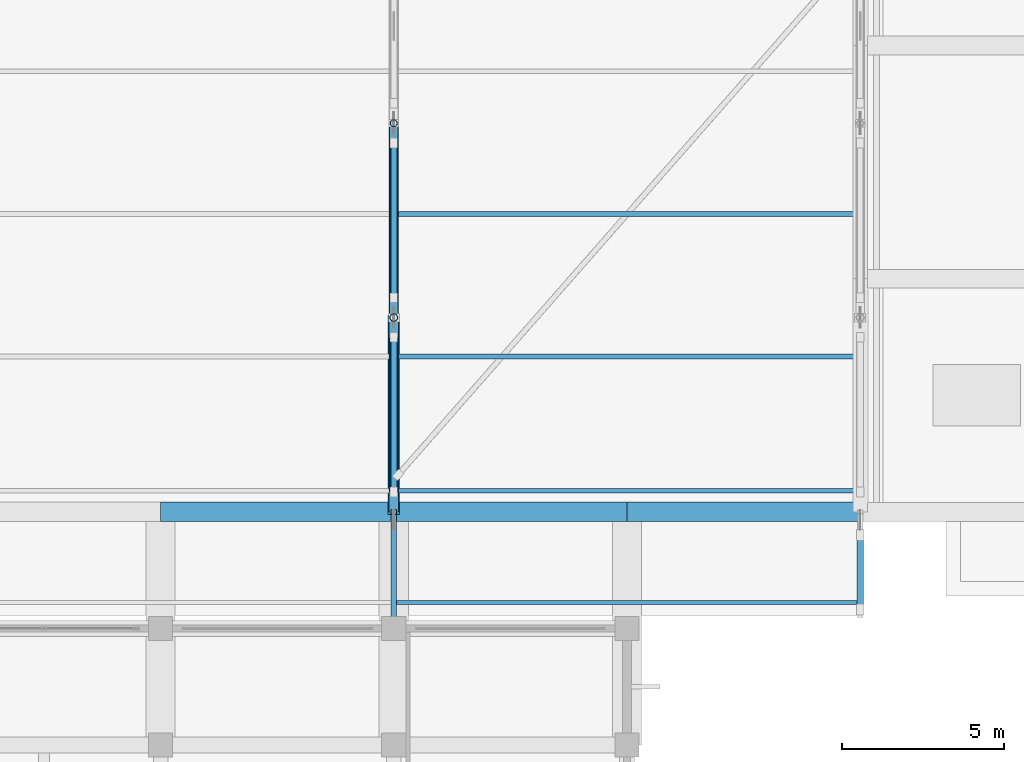
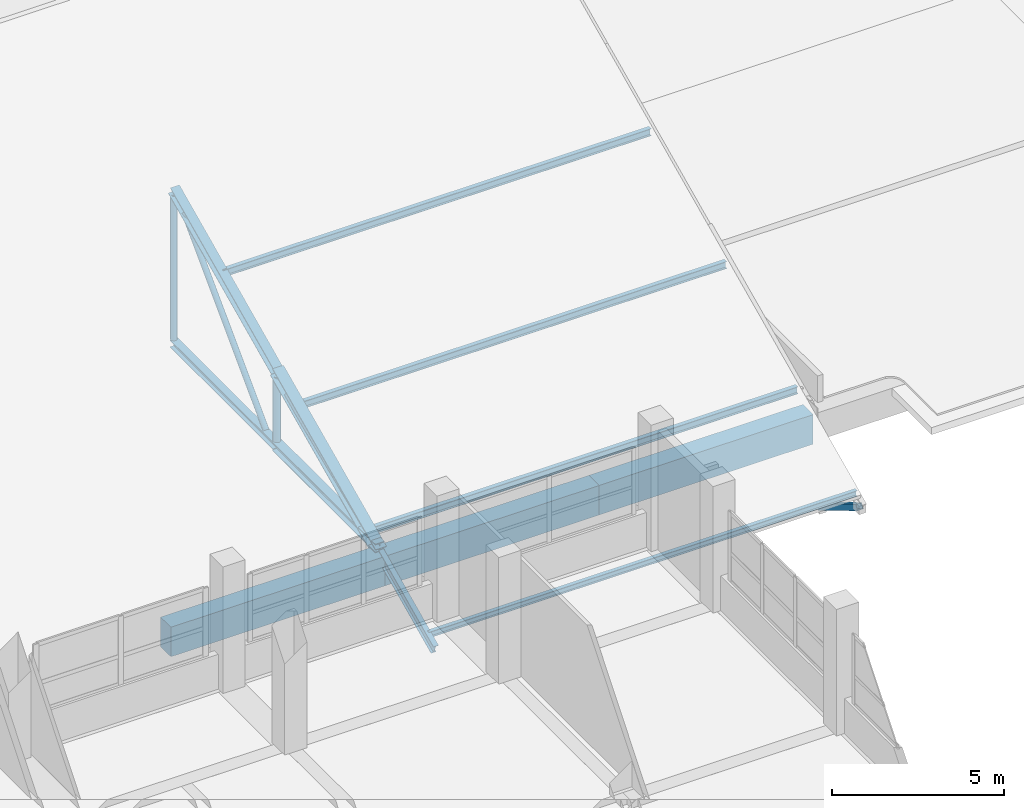
# One storey, part 102 of 141: 14 members, 3 beams, 1 element without a shape of its own.
"""IFC4 building model written with IfcOpenShell, lengths in metres."""

from ifc_helpers import new_model, si_unit, direction, frame, origin, origin_2d, place, context, subcontext, project, spatial, rectangle, hollow_rectangle, hollow_circle, i_section, extrude, material, material_profile, profile_set, type_object, element, aggregate, save


model = new_model("IFC4")

# Units and contexts
model_context = context("Model", 3, precision=1e-05, world=origin(), true_north=direction((0.0, 1.0)))
body_context = subcontext(model_context, "Body", "Model", "MODEL_VIEW")
ifc_project = project(units=[si_unit("LENGTHUNIT", "METRE"), si_unit("AREAUNIT", "SQUARE_METRE"), si_unit("VOLUMEUNIT", "CUBIC_METRE"), si_unit("PLANEANGLEUNIT", "RADIAN"), si_unit("MASSUNIT", "GRAM", prefix="KILO")], contexts=[model_context])

# Site, building, storey
site_placement = place(None, origin())
site = spatial("IfcSite", under=ifc_project, at=site_placement, CompositionType="ELEMENT")
building_placement = place(site_placement, origin())
building = spatial("IfcBuilding", under=site, at=building_placement, Name="Seraya Terrace Polytechnic", CompositionType="ELEMENT")
storey_placement = place(building_placement, frame((0.0, 0.0, 14.39990234375)))
storey = spatial("IfcBuildingStorey", under=building, at=storey_placement, Name="L03", CompositionType="ELEMENT", Elevation=14.39990234375)

# Assembly, members
ifc_material_1 = material(Name="Steel S355J2", Category="steel")
element_assembly_type = type_object("IfcElementAssemblyType", Name="TR-A1", PredefinedType="TRUSS", material=ifc_material_1)
assembly_placement = place(storey_placement, origin())
assembly = element("IfcElementAssembly", 1, at=assembly_placement, inside=storey, type_object=element_assembly_type, Name="Pitched steel roof truss TR-07", AssemblyPlace="SITE", PredefinedType="TRUSS")
ifc_material_profile_1 = material_profile(ifc_material_1, i_section(OverallWidth=0.304931640625, OverallDepth=0.304931640625, WebThickness=0.014892578125, FlangeThickness=0.023681640625, at=origin_2d()), Name="UKC 305x305x14.9x23.8")
ifc_profile_set_1 = profile_set([ifc_material_profile_1], Name="Steel S355J2")
member_type_1 = type_object("IfcMemberType", Name="BC-01", PredefinedType="CHORD", material=ifc_profile_set_1)
member_1_placement = place(storey_placement, frame((100.800048828125, 79.199951171875, 0.150146484375), z_axis=(0.0, 1.0, 0.0), x_axis=(-1.0, 0.0, 0.0)))
member_1 = element("IfcMember", 2, at=member_1_placement, type_object=member_type_1, Name="TR-07 bottom chord 1", PredefinedType="CHORD", context=body_context, shape_type="SweptSolid", body=[
    extrude(i_section(OverallWidth=0.304931640625, OverallDepth=0.304931640625, WebThickness=0.014892578125, FlangeThickness=0.023681640625, at=origin_2d()), origin(), (0.0, 0.0, 1.0), 6.0),
])
ifc_material_profile_2 = material_profile(ifc_material_1, i_section(OverallWidth=0.25390625, OverallDepth=0.25390625, WebThickness=0.0107421875, FlangeThickness=0.017333984375, at=origin_2d()), Name="UKC 254x254x10.7x17.3")
ifc_profile_set_2 = profile_set([ifc_material_profile_2], Name="Steel S355J2")
member_type_2 = type_object("IfcMemberType", Name="BC-02", PredefinedType="CHORD", material=ifc_profile_set_2)
member_2_placement = place(storey_placement, frame((100.800048828125, 85.199951171875, 0.150146484375), z_axis=(0.0, 1.0, 0.0), x_axis=(-1.0, 0.0, 0.0)))
member_2 = element("IfcMember", 3, at=member_2_placement, type_object=member_type_2, Name="TR-07 bottom chord 2", PredefinedType="CHORD", context=body_context, shape_type="SweptSolid", body=[
    extrude(i_section(OverallWidth=0.25390625, OverallDepth=0.25390625, WebThickness=0.0107421875, FlangeThickness=0.017333984375, at=origin_2d()), origin(), (0.0, 0.0, 1.0), 6.0),
])

# Beams
ifc_material_2 = material(Name="Concrete C40/50", Category="concrete")
ifc_material_profile_3 = material_profile(ifc_material_2, rectangle(XDim=0.60009765625, YDim=1.050048828125, at=origin_2d()), Name="RC 600x1050")
ifc_profile_set_3 = profile_set([ifc_material_profile_3], Name="Concrete C40/50")
beam_type = type_object("IfcBeamType", Name="BM-01", PredefinedType="BEAM", material=ifc_profile_set_3)
for number, where, z_axis, x_axis, name in (
    (4, (93.60009765625, 79.199951171875, -0.52490234375), (1.0, 0.0, 0.0), (0.0, 1.0, 0.0), "Beam BM-01 L03 X (93.6..100.8, 79.2)"),
    (5, (100.800048828125, 79.199951171875, -0.52490234375), (1.0, 0.0, 0.0), (0.0, 1.0, 0.0), "Beam BM-01 L03 X (100.8..108.0, 79.2)"),
    (6, (108.0, 79.199951171875, -0.52490234375), (1.0, 0.0, 0.0), (0.0, 1.0, 0.0), "Beam BM-01 L03 X (108.0..115.2, 79.2)"),
):
    element("IfcBeam", number, at=place(storey_placement, frame(where, z_axis=z_axis, x_axis=x_axis)), inside=storey, type_object=beam_type, Name=name, PredefinedType="BEAM", context=body_context, shape_type="SweptSolid", body=[
        extrude(rectangle(XDim=0.60009765625, YDim=1.050048828125, at=origin_2d()), origin(), (0.0, 0.0, 1.0), 7.199951171875),
    ])

# Member
ifc_material_profile_4 = material_profile(ifc_material_1, hollow_circle(Radius=0.109619140625, WallThickness=0.010009765625, at=origin_2d()), Name="CHS 219.1x10.0")
ifc_profile_set_4 = profile_set([ifc_material_profile_4], Name="Steel S355J2")
member_type_3 = type_object("IfcMemberType", Name="BR-01", PredefinedType="BRACE", material=ifc_profile_set_4)
member_3_placement = place(storey_placement, frame((100.800048828125, 79.820068359375, 0.316650390625), z_axis=(0.0, 0.921775035169, 0.387725140453), x_axis=(-1.0, 0.0, 0.0)))
member_3 = element("IfcMember", 7, at=member_3_placement, type_object=member_type_3, Name="TR-07 web diagonal 1", PredefinedType="BRACE", context=body_context, shape_type="SweptSolid", body=[
    extrude(hollow_circle(Radius=0.109619140625, WallThickness=0.010009765625, at=origin_2d()), origin(), (0.0, 0.0, 1.0), 5.1640625),
])

ifc_material_profile_5 = material_profile(ifc_material_1, hollow_circle(Radius=0.096923828125, WallThickness=0.010009765625, at=origin_2d()), Name="CHS 193.7x10.0")
ifc_profile_set_5 = profile_set([ifc_material_profile_5], Name="Steel S355J2")
member_type_4 = type_object("IfcMemberType", Name="BR-02", PredefinedType="BRACE", material=ifc_profile_set_5)
member_4_placement = place(storey_placement, frame((100.800048828125, 85.820068359375, 0.291015625), z_axis=(0.0, 0.700213947338, 0.713933069659), x_axis=(-1.0, 0.0, 0.0)))
member_4 = element("IfcMember", 8, at=member_4_placement, type_object=member_type_4, Name="TR-07 web diagonal 2", PredefinedType="BRACE", context=body_context, shape_type="SweptSolid", body=[
    extrude(hollow_circle(Radius=0.096923828125, WallThickness=0.010009765625, at=origin_2d()), origin(), (0.0, 0.0, 1.0), 6.7978515625),
])

# Members
ifc_material_profile_6 = material_profile(ifc_material_1, i_section(OverallWidth=0.14599609375, OverallDepth=0.25390625, WebThickness=0.007080078125, FlangeThickness=0.01416015625, at=origin_2d()), Name="UKB 254x146x7.2x14.2")
ifc_profile_set_6 = profile_set([ifc_material_profile_6], Name="Steel S355J2")
member_type_5 = type_object("IfcMemberType", Name="PR-01", PredefinedType="PURLIN", material=ifc_profile_set_6)
for number, where, z_axis, x_axis, name in (
    (9, (100.800048828125, 79.85009765625, 0.33349609375), (1.0, 0.0, 0.0), (0.0, 1.0, 0.0), "Workshop roof purlin PR-01 bay 7.2"),
    (10, (100.800048828125, 84.0, 2.270263671875), (1.0, 0.0, 0.0), (0.0, 1.0, 0.0), "Workshop roof purlin PR-01 bay 7.3"),
    (11, (100.800048828125, 88.39990234375, 4.323486328125), (1.0, 0.0, 0.0), (0.0, 1.0, 0.0), "Workshop roof purlin PR-01 bay 7.4"),
):
    element("IfcMember", number, at=place(storey_placement, frame(where, z_axis=z_axis, x_axis=x_axis)), inside=storey, type_object=member_type_5, Name=name, PredefinedType="PURLIN", context=body_context, shape_type="SweptSolid", body=[
        extrude(i_section(OverallWidth=0.14599609375, OverallDepth=0.25390625, WebThickness=0.007080078125, FlangeThickness=0.01416015625, at=origin_2d()), origin(), (0.0, 0.0, 1.0), 14.39990234375),
    ])
ifc_material_profile_7 = material_profile(ifc_material_1, i_section(OverallWidth=0.133056640625, OverallDepth=0.202880859375, WebThickness=0.00634765625, FlangeThickness=0.01171875, at=origin_2d()), Name="UKB 203x133x6.4x11.8")
ifc_profile_set_7 = profile_set([ifc_material_profile_7], Name="Steel S355J2")
member_type_6 = type_object("IfcMemberType", Name="PR-02", PredefinedType="PURLIN", material=ifc_profile_set_7)
member_5_placement = place(storey_placement, frame((100.800048828125, 76.39990234375, -1.247802734375), z_axis=(1.0, 0.0, 0.0), x_axis=(0.0, 1.0, 0.0)))
element("IfcMember", 12, at=member_5_placement, inside=storey, type_object=member_type_6, Name="Workshop roof purlin PR-02 bay 7.1", PredefinedType="PURLIN", context=body_context, shape_type="SweptSolid", body=[
    extrude(i_section(OverallWidth=0.133056640625, OverallDepth=0.202880859375, WebThickness=0.00634765625, FlangeThickness=0.01171875, at=origin_2d()), origin(), (0.0, 0.0, 1.0), 14.39990234375),
])

# Member
ifc_material_profile_8 = material_profile(ifc_material_1, i_section(OverallWidth=0.1708984375, OverallDepth=0.35595703125, WebThickness=0.009033203125, FlangeThickness=0.015625, at=origin_2d()), Name="UKB 356x171x9.1x15.7")
ifc_profile_set_8 = profile_set([ifc_material_profile_8], Name="Steel S355J2")
member_type_7 = type_object("IfcMemberType", Name="RF-01", PredefinedType="RAFTER", material=ifc_profile_set_8)
member_6_placement = place(storey_placement, frame((100.800048828125, 79.199951171875, -0.052001953125), z_axis=(0.0, -0.906199036176, -0.422851400416), x_axis=(1.0, 0.0, 0.0)))
member_6 = element("IfcMember", 13, at=member_6_placement, type_object=member_type_7, Name="TR-07 South monsoon eave rafter", PredefinedType="RAFTER", context=body_context, shape_type="SweptSolid", body=[
    extrude(i_section(OverallWidth=0.1708984375, OverallDepth=0.35595703125, WebThickness=0.009033203125, FlangeThickness=0.015625, at=origin_2d()), origin(), (0.0, 0.0, 1.0), 3.53125),
])

ifc_material_profile_9 = material_profile(ifc_material_1, hollow_circle(Radius=0.122314453125, WallThickness=0.012451171875, at=origin_2d()), Name="CHS 244.5x12.5")
ifc_profile_set_9 = profile_set([ifc_material_profile_9], Name="Steel S355J2")
member_type_8 = type_object("IfcMemberType", Name="ST-M2", PredefinedType="STRUT", material=ifc_profile_set_9)
member_7_placement = place(storey_placement, frame((100.800048828125, 85.199951171875, 0.306640625), z_axis=(0.0, 0.0, 1.0), x_axis=(1.0, 0.0, 0.0)))
member_7 = element("IfcMember", 14, at=member_7_placement, type_object=member_type_8, Name="TR-07 vertical strut 2", PredefinedType="STRUT", context=body_context, shape_type="SweptSolid", body=[
    extrude(hollow_circle(Radius=0.122314453125, WallThickness=0.012451171875, at=origin_2d()), origin(), (0.0, 0.0, 1.0), 2.3115234375),
])

ifc_material_profile_10 = material_profile(ifc_material_1, hollow_circle(Radius=0.109619140625, WallThickness=0.010009765625, at=origin_2d()), Name="CHS 219.1x10.0")
ifc_profile_set_10 = profile_set([ifc_material_profile_10], Name="Steel S355J2")
member_type_9 = type_object("IfcMemberType", Name="ST-M3", PredefinedType="STRUT", material=ifc_profile_set_10)
member_8_placement = place(storey_placement, frame((100.800048828125, 91.199951171875, 0.281005859375), z_axis=(0.0, 0.0, 1.0), x_axis=(1.0, 0.0, 0.0)))
member_8 = element("IfcMember", 15, at=member_8_placement, type_object=member_type_9, Name="TR-07 vertical strut 3", PredefinedType="STRUT", context=body_context, shape_type="SweptSolid", body=[
    extrude(hollow_circle(Radius=0.109619140625, WallThickness=0.010009765625, at=origin_2d()), origin(), (0.0, 0.0, 1.0), 5.16259765625),
])

ifc_material_profile_11 = material_profile(ifc_material_1, hollow_rectangle(XDim=0.199951171875, YDim=0.199951171875, WallThickness=0.010009765625, at=origin_2d()), Name="SHS 200x200x10.0")
ifc_profile_set_11 = profile_set([ifc_material_profile_11], Name="Steel S355J2")
member_type_10 = type_object("IfcMemberType", Name="ST-M4", PredefinedType="STRUT", material=ifc_profile_set_11)
member_9_placement = place(storey_placement, frame((115.199951171875, 78.485107421875, -3.0), z_axis=(0.0, -0.858058621588, 0.513551751938), x_axis=(1.0, 0.0, 0.0)))
element("IfcMember", 16, at=member_9_placement, inside=storey, type_object=member_type_10, Name="Gable eave outrigger knee-brace 8 South", PredefinedType="STRUT", context=body_context, shape_type="SweptSolid", body=[
    extrude(hollow_rectangle(XDim=0.199951171875, YDim=0.199951171875, WallThickness=0.010009765625, at=origin_2d()), origin(), (0.0, 0.0, 1.0), 2.6630859375),
])

ifc_material_profile_12 = material_profile(ifc_material_1, i_section(OverallWidth=0.367919921875, OverallDepth=0.35595703125, WebThickness=0.014892578125, FlangeThickness=0.0244140625, at=origin_2d()), Name="UKC 356x368x15.0x24.4")
ifc_profile_set_12 = profile_set([ifc_material_profile_12], Name="Steel S355J2")
member_type_11 = type_object("IfcMemberType", Name="TC-01", PredefinedType="CHORD", material=ifc_profile_set_12)
member_10_placement = place(storey_placement, frame((100.800048828125, 79.199951171875, 0.0), z_axis=(0.0, 0.906180313975, 0.422891521036), x_axis=(-1.0, 0.0, 0.0)))
member_10 = element("IfcMember", 17, at=member_10_placement, type_object=member_type_11, Name="TR-07 top chord 1", PredefinedType="CHORD", context=body_context, shape_type="SweptSolid", body=[
    extrude(i_section(OverallWidth=0.367919921875, OverallDepth=0.35595703125, WebThickness=0.014892578125, FlangeThickness=0.0244140625, at=origin_2d()), origin(), (0.0, 0.0, 1.0), 6.62109375),
])

ifc_material_profile_13 = material_profile(ifc_material_1, i_section(OverallWidth=0.304931640625, OverallDepth=0.304931640625, WebThickness=0.011962890625, FlangeThickness=0.019775390625, at=origin_2d()), Name="UKC 305x305x12.0x19.7")
ifc_profile_set_13 = profile_set([ifc_material_profile_13], Name="Steel S355J2")
member_type_12 = type_object("IfcMemberType", Name="TC-02", PredefinedType="CHORD", material=ifc_profile_set_13)
member_11_placement = place(storey_placement, frame((100.800048828125, 85.199951171875, 2.800048828125), z_axis=(0.0, 0.906180313975, 0.422891521036), x_axis=(-1.0, 0.0, 0.0)))
member_11 = element("IfcMember", 18, at=member_11_placement, type_object=member_type_12, Name="TR-07 top chord 2", PredefinedType="CHORD", context=body_context, shape_type="SweptSolid", body=[
    extrude(i_section(OverallWidth=0.304931640625, OverallDepth=0.304931640625, WebThickness=0.011962890625, FlangeThickness=0.019775390625, at=origin_2d()), origin(), (0.0, 0.0, 1.0), 6.62109375),
])

aggregate(assembly, [member_1, member_10, member_2, member_11, member_7, member_8, member_3, member_4, member_6])

save(model, "model.ifc")
